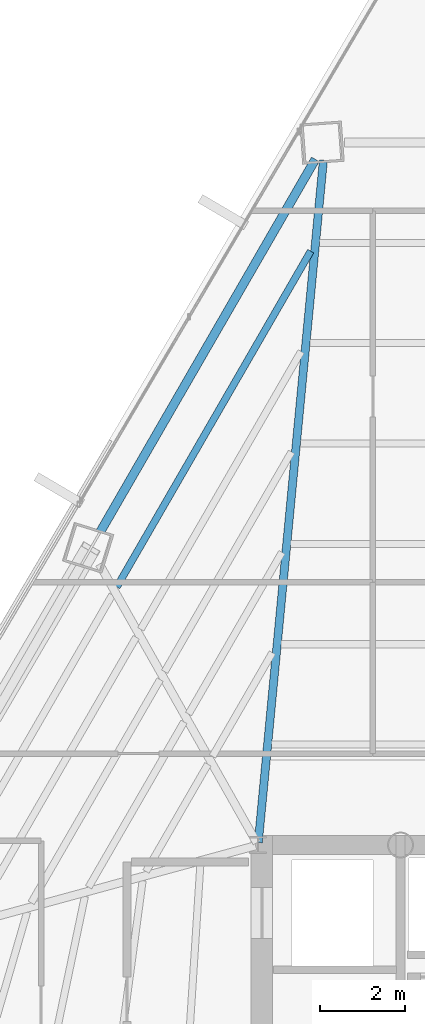
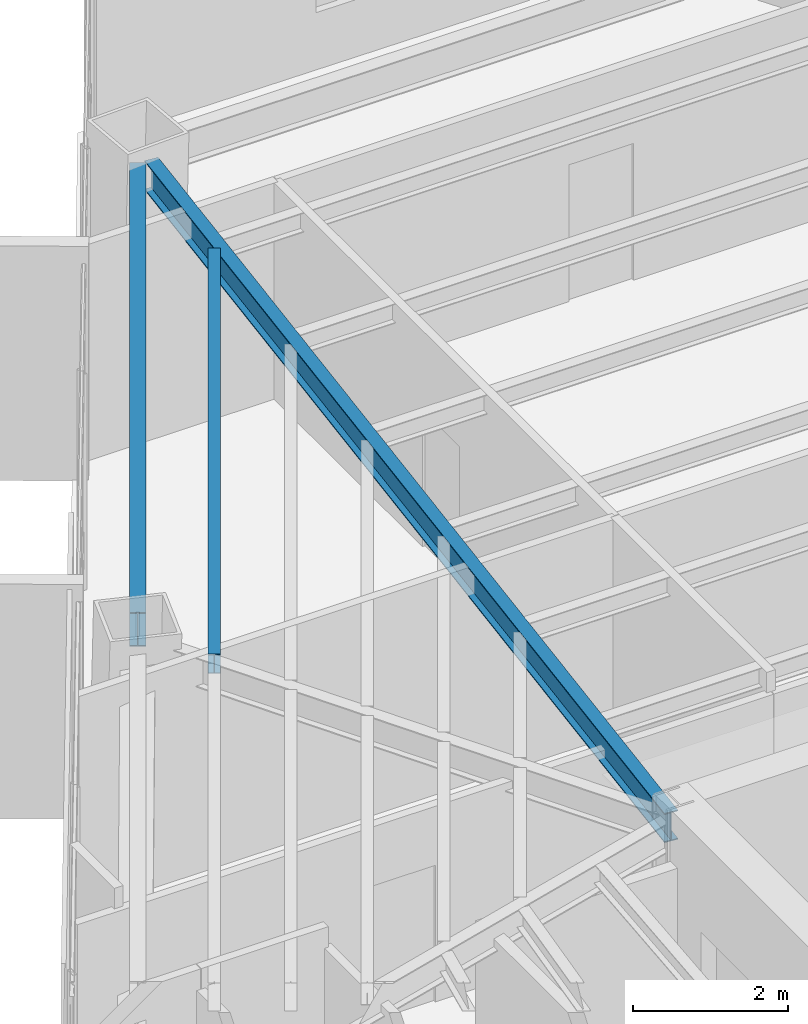
# One storey, part 26 of 41: 3 beams.
"""IFC4 building model written with IfcOpenShell, lengths in metres."""

from ifc_helpers import new_model, si_unit, direction, frame, origin, origin_2d, place, context, subcontext, project, spatial, i_section, extrude, source, transform, mapped, material, material_profile, profile_set, type_object, type_shapes, element, save


model = new_model("IFC4")

# Units and contexts
model_context = context("Model", 3, precision=1e-05, world=origin(), true_north=direction((0.0, 1.0)))
body_context = subcontext(model_context, "Body", "Model", "MODEL_VIEW")
ifc_project = project(units=[si_unit("LENGTHUNIT", "METRE"), si_unit("AREAUNIT", "SQUARE_METRE"), si_unit("VOLUMEUNIT", "CUBIC_METRE"), si_unit("PLANEANGLEUNIT", "RADIAN"), si_unit("MASSUNIT", "GRAM", prefix="KILO")], contexts=[model_context])

# Site, building, storey
site_placement = place(None, origin())
site = spatial("IfcSite", under=ifc_project, at=site_placement, CompositionType="ELEMENT")
building_placement = place(site_placement, origin())
building = spatial("IfcBuilding", under=site, at=building_placement, Name="Caelisora Broadcast Tower", CompositionType="ELEMENT")
storey_placement = place(building_placement, frame((0.0, 0.0, 165.800048828125)))
storey = spatial("IfcBuildingStorey", under=building, at=storey_placement, Name="L43", CompositionType="ELEMENT", Elevation=165.800048828125)

# Beams
ifc_material = material(Name="Steel Grade 350 (AS/NZS 3679.1)", Category="steel")
ifc_material_profile_1 = material_profile(ifc_material, i_section(OverallWidth=0.208984375, OverallDepth=0.532958984375, WebThickness=0.01025390625, FlangeThickness=0.015625, at=origin_2d()), Name="Steel Grade 350 (AS/NZS 3679.1)")
ifc_profile_set_1 = profile_set([ifc_material_profile_1], Name="Steel Grade 350 (AS/NZS 3679.1)")
beam_type_1 = type_object("IfcBeamType", Name="PG05", PredefinedType="BEAM", material=ifc_profile_set_1)
shared_shape_1 = source(origin(), body_context, "Body", "SweptSolid", [
    extrude(i_section(OverallWidth=0.208984375, OverallDepth=0.532958984375, WebThickness=0.01025390625, FlangeThickness=0.015625, at=origin_2d()), origin(), (0.0, 0.0, 1.0), 10.1083984375),
])
type_shapes(beam_type_1, [shared_shape_1])
beam_1_placement = place(storey_placement, frame((31.846923828125, 46.123291015625, 3.133544921875), z_axis=(-0.499999119609, -0.866025912078, 0.0), x_axis=(0.866025912078, -0.499999119609, 0.0)))
element("IfcBeam", 1, at=beam_1_placement, inside=storey, type_object=beam_type_1, Name="L43 beam PG05", PredefinedType="BEAM", context=body_context, shape_type="MappedRepresentation", body=[
    mapped(shared_shape_1, transform((0.0, 0.0, 0.0), scale=1.0)),
])
ifc_material_profile_2 = material_profile(ifc_material, i_section(OverallWidth=0.19091796875, OverallDepth=0.46044921875, WebThickness=0.010009765625, FlangeThickness=0.01611328125, at=origin_2d()), Name="Steel Grade 350 (AS/NZS 3679.1)")
ifc_profile_set_2 = profile_set([ifc_material_profile_2], Name="Steel Grade 350 (AS/NZS 3679.1)")
beam_type_2 = type_object("IfcBeamType", Name="PG06", PredefinedType="BEAM", material=ifc_profile_set_2)
shared_shape_2 = source(origin(), body_context, "Body", "SweptSolid", [
    extrude(i_section(OverallWidth=0.19091796875, OverallDepth=0.46044921875, WebThickness=0.010009765625, FlangeThickness=0.01611328125, at=origin_2d()), origin(), (0.0, 0.0, 1.0), 16.11669921875),
])
type_shapes(beam_type_2, [shared_shape_2])
beam_2_placement = place(storey_placement, frame((30.505615234375, 30.059814453125, 3.169677734375), z_axis=(0.095025694986, 0.995474820019, 0.0), x_axis=(-0.995474820019, 0.095025694986, 0.0)))
element("IfcBeam", 2, at=beam_2_placement, inside=storey, type_object=beam_type_2, Name="L43 beam PG06", PredefinedType="BEAM", context=body_context, shape_type="MappedRepresentation", body=[
    mapped(shared_shape_2, transform((0.0, 0.0, 0.0), scale=1.0)),
])
ifc_material_profile_3 = material_profile(ifc_material, i_section(OverallWidth=0.166015625, OverallDepth=0.30712890625, WebThickness=0.006591796875, FlangeThickness=0.01171875, at=origin_2d()), Name="Steel Grade 350 (AS/NZS 3679.1)")
ifc_profile_set_3 = profile_set([ifc_material_profile_3], Name="Steel Grade 350 (AS/NZS 3679.1)")
beam_type_3 = type_object("IfcBeamType", Name="SB03", PredefinedType="JOIST", material=ifc_profile_set_3)
shared_shape_3 = source(origin(), body_context, "Body", "SweptSolid", [
    extrude(i_section(OverallWidth=0.166015625, OverallDepth=0.30712890625, WebThickness=0.006591796875, FlangeThickness=0.01171875, at=origin_2d()), origin(), (0.0, 0.0, 1.0), 9.1181640625),
])
type_shapes(beam_type_3, [shared_shape_3])
beam_3_placement = place(storey_placement, frame((31.73828125, 43.96484375, 3.246337890625), z_axis=(-0.500003672776, -0.866023283296, 0.0), x_axis=(0.866023283296, -0.500003672776, 0.0)))
element("IfcBeam", 3, at=beam_3_placement, inside=storey, type_object=beam_type_3, Name="L43 beam SB03", PredefinedType="JOIST", context=body_context, shape_type="MappedRepresentation", body=[
    mapped(shared_shape_3, transform((0.0, 0.0, 0.0), scale=1.0)),
])

save(model, "model.ifc")
